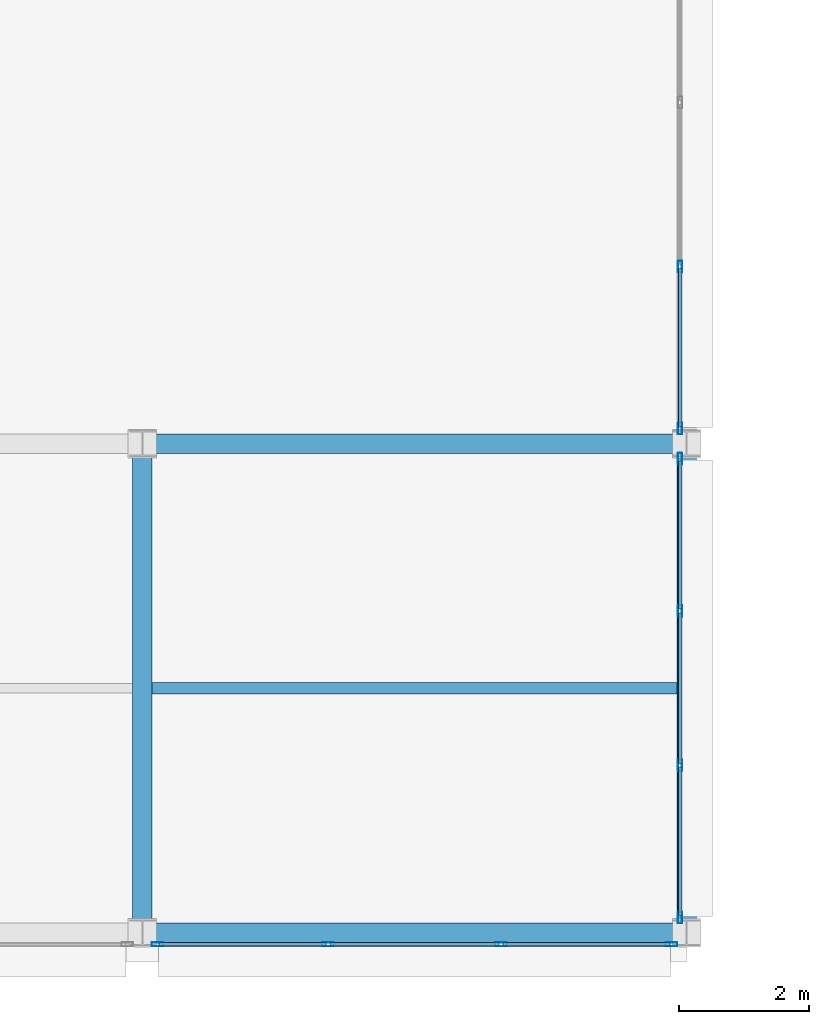
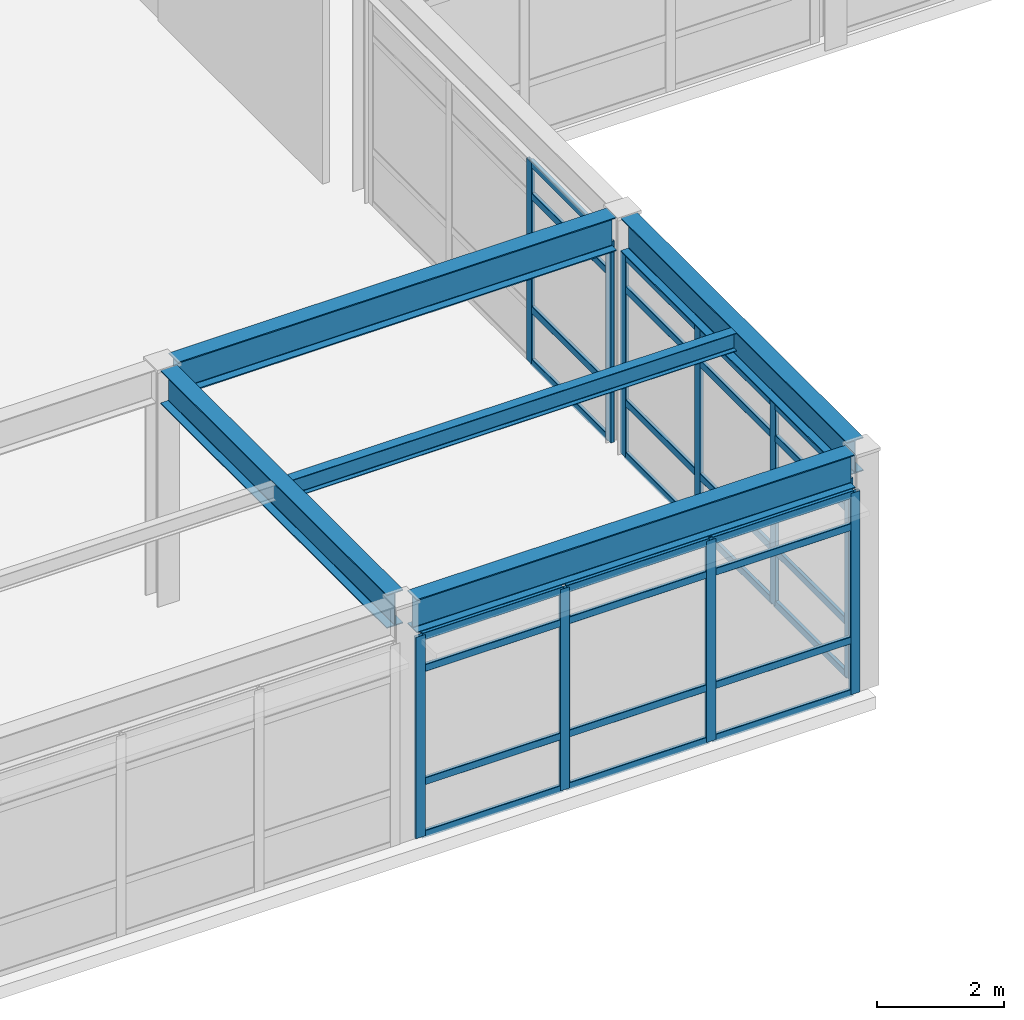
# One storey, part 19 of 93: 38 members, 5 beams, 3 elements without a shape of their own.
"""IFC4 building model written with IfcOpenShell, lengths in metres."""

from ifc_helpers import new_model, si_unit, direction, frame, origin, origin_2d, place, context, subcontext, project, spatial, hollow_rectangle, i_section, extrude, material, layer, layer_set, material_profile, profile_set, type_object, element, aggregate, save


model = new_model("IFC4")

# Units and contexts
model_context = context("Model", 3, precision=1e-05, world=origin(), true_north=direction((0.0, 1.0)))
body_context = subcontext(model_context, "Body", "Model", "MODEL_VIEW")
ifc_project = project(units=[si_unit("LENGTHUNIT", "METRE"), si_unit("AREAUNIT", "SQUARE_METRE"), si_unit("VOLUMEUNIT", "CUBIC_METRE"), si_unit("PLANEANGLEUNIT", "RADIAN"), si_unit("MASSUNIT", "GRAM", prefix="KILO")], contexts=[model_context])

# Site, building, storey
site_placement = place(None, origin())
site = spatial("IfcSite", under=ifc_project, at=site_placement, CompositionType="ELEMENT")
building_placement = place(site_placement, origin())
building = spatial("IfcBuilding", under=site, at=building_placement, Name="Kazehara Bluff Congress Hotel", CompositionType="ELEMENT")
storey_placement = place(building_placement, frame((0.0, 0.0, 15.0)))
storey = spatial("IfcBuildingStorey", under=building, at=storey_placement, Name="L03", CompositionType="ELEMENT", Elevation=15.0)

# Curtain wall, members
ifc_material_1 = material(Name="Anodised aluminium", Category="aluminium")
ifc_layer_1 = layer(ifc_material_1, 0.159912109375)
ifc_layer_set_1 = layer_set([ifc_layer_1], Name="Anodised aluminium")
curtain_wall_type_1 = type_object("IfcCurtainWallType", Name="TP-CW-143", PredefinedType="NOTDEFINED", material=ifc_layer_set_1)
curtain_wall_1_placement = place(storey_placement, origin())
curtain_wall_1 = element("IfcCurtainWall", 1, at=curtain_wall_1_placement, inside=storey, type_object=curtain_wall_type_1, Name="L03 curtain wall CW-143 CW-ENC-V4-L03-7185-27", PredefinedType="NOTDEFINED")
ifc_material_2 = material(Name="Anodised aluminium", Category="aluminium")
ifc_material_profile_1 = material_profile(ifc_material_2, hollow_rectangle(XDim=0.06494140625, YDim=0.179931640625, WallThickness=0.00390625, InnerFilletRadius=0.00390625, OuterFilletRadius=0.008056640625, at=origin_2d()))
ifc_profile_set_1 = profile_set([ifc_material_profile_1], Name="Anodised aluminium")
member_type_1 = type_object("IfcMemberType", Name="TP-CWM-02", PredefinedType="MULLION", material=ifc_profile_set_1)
member_1_placement = place(storey_placement, frame((75.8173828125, 0.27001953125, 0.0), z_axis=(0.0, 0.0, 1.0), x_axis=(0.0, -1.0, 0.0)))
member_1 = element("IfcMember", 2, at=member_1_placement, type_object=member_type_1, Name="CW-143 mullion 1", PredefinedType="MULLION", context=body_context, shape_type="SweptSolid", body=[
    extrude(hollow_rectangle(XDim=0.06494140625, YDim=0.179931640625, WallThickness=0.00390625, InnerFilletRadius=0.00390625, OuterFilletRadius=0.008056640625, at=origin_2d()), origin(), (0.0, 0.0, 1.0), 3.885009765625),
])
member_2_placement = place(storey_placement, frame((73.183349609375, 0.27001953125, 0.0), z_axis=(0.0, 0.0, 1.0), x_axis=(0.0, -1.0, 0.0)))
member_2 = element("IfcMember", 3, at=member_2_placement, type_object=member_type_1, Name="CW-143 mullion 2", PredefinedType="MULLION", context=body_context, shape_type="SweptSolid", body=[
    extrude(hollow_rectangle(XDim=0.06494140625, YDim=0.179931640625, WallThickness=0.00390625, InnerFilletRadius=0.00390625, OuterFilletRadius=0.008056640625, at=origin_2d()), origin(), (0.0, 0.0, 1.0), 3.885009765625),
])
member_3_placement = place(storey_placement, frame((70.5166015625, 0.27001953125, 0.0), z_axis=(0.0, 0.0, 1.0), x_axis=(0.0, -1.0, 0.0)))
member_3 = element("IfcMember", 4, at=member_3_placement, type_object=member_type_1, Name="CW-143 mullion 3", PredefinedType="MULLION", context=body_context, shape_type="SweptSolid", body=[
    extrude(hollow_rectangle(XDim=0.06494140625, YDim=0.179931640625, WallThickness=0.00390625, InnerFilletRadius=0.00390625, OuterFilletRadius=0.008056640625, at=origin_2d()), origin(), (0.0, 0.0, 1.0), 3.885009765625),
])
member_4_placement = place(storey_placement, frame((67.882568359375, 0.27001953125, 0.0), z_axis=(0.0, 0.0, 1.0), x_axis=(0.0, -1.0, 0.0)))
member_4 = element("IfcMember", 5, at=member_4_placement, type_object=member_type_1, Name="CW-143 mullion 4", PredefinedType="MULLION", context=body_context, shape_type="SweptSolid", body=[
    extrude(hollow_rectangle(XDim=0.06494140625, YDim=0.179931640625, WallThickness=0.00390625, InnerFilletRadius=0.00390625, OuterFilletRadius=0.008056640625, at=origin_2d()), origin(), (0.0, 0.0, 1.0), 3.885009765625),
])

ifc_material_3 = material(Name="Anodised aluminium", Category="aluminium")
ifc_layer_2 = layer(ifc_material_3, 0.159912109375)
ifc_layer_set_2 = layer_set([ifc_layer_2], Name="Anodised aluminium")
curtain_wall_type_2 = type_object("IfcCurtainWallType", Name="TP-CW-144", PredefinedType="NOTDEFINED", material=ifc_layer_set_2)
curtain_wall_2_placement = place(storey_placement, origin())
curtain_wall_2 = element("IfcCurtainWall", 6, at=curtain_wall_2_placement, inside=storey, type_object=curtain_wall_type_2, Name="L03 curtain wall CW-144 CW-ENC-V4-L03-7595-422", PredefinedType="NOTDEFINED")
member_5_placement = place(storey_placement, frame((75.949951171875, 7.767578125, 0.0), z_axis=(0.0, 0.0, 1.0), x_axis=(1.0, 0.0, 0.0)))
member_5 = element("IfcMember", 7, at=member_5_placement, type_object=member_type_1, Name="CW-144 mullion 1", PredefinedType="MULLION", context=body_context, shape_type="SweptSolid", body=[
    extrude(hollow_rectangle(XDim=0.06494140625, YDim=0.179931640625, WallThickness=0.00390625, InnerFilletRadius=0.00390625, OuterFilletRadius=0.008056640625, at=origin_2d()), origin(), (0.0, 0.0, 1.0), 3.885009765625),
])
member_6_placement = place(storey_placement, frame((75.949951171875, 5.416748046875, 0.0), z_axis=(0.0, 0.0, 1.0), x_axis=(1.0, 0.0, 0.0)))
member_6 = element("IfcMember", 8, at=member_6_placement, type_object=member_type_1, Name="CW-144 mullion 2", PredefinedType="MULLION", context=body_context, shape_type="SweptSolid", body=[
    extrude(hollow_rectangle(XDim=0.06494140625, YDim=0.179931640625, WallThickness=0.00390625, InnerFilletRadius=0.00390625, OuterFilletRadius=0.008056640625, at=origin_2d()), origin(), (0.0, 0.0, 1.0), 3.885009765625),
])
member_7_placement = place(storey_placement, frame((75.949951171875, 3.033447265625, 0.0), z_axis=(0.0, 0.0, 1.0), x_axis=(1.0, 0.0, 0.0)))
member_7 = element("IfcMember", 9, at=member_7_placement, type_object=member_type_1, Name="CW-144 mullion 3", PredefinedType="MULLION", context=body_context, shape_type="SweptSolid", body=[
    extrude(hollow_rectangle(XDim=0.06494140625, YDim=0.179931640625, WallThickness=0.00390625, InnerFilletRadius=0.00390625, OuterFilletRadius=0.008056640625, at=origin_2d()), origin(), (0.0, 0.0, 1.0), 3.885009765625),
])
member_8_placement = place(storey_placement, frame((75.949951171875, 0.6826171875, 0.0), z_axis=(0.0, 0.0, 1.0), x_axis=(1.0, 0.0, 0.0)))
member_8 = element("IfcMember", 10, at=member_8_placement, type_object=member_type_1, Name="CW-144 mullion 4", PredefinedType="MULLION", context=body_context, shape_type="SweptSolid", body=[
    extrude(hollow_rectangle(XDim=0.06494140625, YDim=0.179931640625, WallThickness=0.00390625, InnerFilletRadius=0.00390625, OuterFilletRadius=0.008056640625, at=origin_2d()), origin(), (0.0, 0.0, 1.0), 3.885009765625),
])

ifc_material_4 = material(Name="Anodised aluminium", Category="aluminium")
ifc_layer_3 = layer(ifc_material_4, 0.159912109375)
ifc_layer_set_3 = layer_set([ifc_layer_3], Name="Anodised aluminium")
curtain_wall_type_3 = type_object("IfcCurtainWallType", Name="TP-CW-129", PredefinedType="NOTDEFINED", material=ifc_layer_set_3)
curtain_wall_3_placement = place(storey_placement, origin())
curtain_wall_3 = element("IfcCurtainWall", 11, at=curtain_wall_3_placement, inside=storey, type_object=curtain_wall_type_3, Name="L03 curtain wall CW-129 CW-ENC-V4-L03-7595-1200", PredefinedType="NOTDEFINED")
member_9_placement = place(storey_placement, frame((75.949951171875, 10.7333984375, 0.0), z_axis=(0.0, 0.0, 1.0), x_axis=(1.0, 0.0, 0.0)))
member_9 = element("IfcMember", 12, at=member_9_placement, type_object=member_type_1, Name="CW-129 mullion 3", PredefinedType="MULLION", context=body_context, shape_type="SweptSolid", body=[
    extrude(hollow_rectangle(XDim=0.06494140625, YDim=0.179931640625, WallThickness=0.00390625, InnerFilletRadius=0.00390625, OuterFilletRadius=0.008056640625, at=origin_2d()), origin(), (0.0, 0.0, 1.0), 3.885009765625),
])
member_10_placement = place(storey_placement, frame((75.949951171875, 8.232421875, 0.0), z_axis=(0.0, 0.0, 1.0), x_axis=(1.0, 0.0, 0.0)))
member_10 = element("IfcMember", 13, at=member_10_placement, type_object=member_type_1, Name="CW-129 mullion 4", PredefinedType="MULLION", context=body_context, shape_type="SweptSolid", body=[
    extrude(hollow_rectangle(XDim=0.06494140625, YDim=0.179931640625, WallThickness=0.00390625, InnerFilletRadius=0.00390625, OuterFilletRadius=0.008056640625, at=origin_2d()), origin(), (0.0, 0.0, 1.0), 3.885009765625),
])

# Member
ifc_material_5 = material(Name="Anodised aluminium", Category="aluminium")
ifc_material_profile_2 = material_profile(ifc_material_5, hollow_rectangle(XDim=0.06494140625, YDim=0.139892578125, WallThickness=0.00390625, InnerFilletRadius=0.00390625, OuterFilletRadius=0.008056640625, at=origin_2d()))
ifc_profile_set_2 = profile_set([ifc_material_profile_2], Name="Anodised aluminium")
member_type_2 = type_object("IfcMemberType", Name="TP-CWT-02", PredefinedType="USERDEFINED", material=ifc_profile_set_2)
member_11_placement = place(storey_placement, frame((75.784912109375, 0.27001953125, 0.032470703125), z_axis=(-1.0, 0.0, 0.0), x_axis=(0.0, -1.0, 0.0)))
member_11 = element("IfcMember", 14, at=member_11_placement, type_object=member_type_2, Name="CW-143 transom 1.1", ObjectType="TRANSOM", PredefinedType="USERDEFINED", context=body_context, shape_type="SweptSolid", body=[
    extrude(hollow_rectangle(XDim=0.06494140625, YDim=0.139892578125, WallThickness=0.00390625, InnerFilletRadius=0.00390625, OuterFilletRadius=0.008056640625, at=origin_2d()), origin(), (0.0, 0.0, 1.0), 2.569091796875),
])

member_12_placement = place(storey_placement, frame((75.784912109375, 0.27001953125, 1.050048828125), z_axis=(-1.0, 0.0, 0.0), x_axis=(0.0, -1.0, 0.0)))
member_12 = element("IfcMember", 15, at=member_12_placement, type_object=member_type_2, Name="CW-143 transom 1.2", ObjectType="TRANSOM", PredefinedType="USERDEFINED", context=body_context, shape_type="SweptSolid", body=[
    extrude(hollow_rectangle(XDim=0.06494140625, YDim=0.139892578125, WallThickness=0.00390625, InnerFilletRadius=0.00390625, OuterFilletRadius=0.008056640625, at=origin_2d()), origin(), (0.0, 0.0, 1.0), 2.569091796875),
])

member_13_placement = place(storey_placement, frame((75.784912109375, 0.27001953125, 3.235107421875), z_axis=(-1.0, 0.0, 0.0), x_axis=(0.0, -1.0, 0.0)))
member_13 = element("IfcMember", 16, at=member_13_placement, type_object=member_type_2, Name="CW-143 transom 1.3", ObjectType="TRANSOM", PredefinedType="USERDEFINED", context=body_context, shape_type="SweptSolid", body=[
    extrude(hollow_rectangle(XDim=0.06494140625, YDim=0.139892578125, WallThickness=0.00390625, InnerFilletRadius=0.00390625, OuterFilletRadius=0.008056640625, at=origin_2d()), origin(), (0.0, 0.0, 1.0), 2.569091796875),
])

member_14_placement = place(storey_placement, frame((75.784912109375, 0.27001953125, 3.8525390625), z_axis=(-1.0, 0.0, 0.0), x_axis=(0.0, -1.0, 0.0)))
member_14 = element("IfcMember", 17, at=member_14_placement, type_object=member_type_2, Name="CW-143 transom 1.4", ObjectType="TRANSOM", PredefinedType="USERDEFINED", context=body_context, shape_type="SweptSolid", body=[
    extrude(hollow_rectangle(XDim=0.06494140625, YDim=0.139892578125, WallThickness=0.00390625, InnerFilletRadius=0.00390625, OuterFilletRadius=0.008056640625, at=origin_2d()), origin(), (0.0, 0.0, 1.0), 2.569091796875),
])

member_15_placement = place(storey_placement, frame((73.15087890625, 0.27001953125, 0.032470703125), z_axis=(-1.0, 0.0, 0.0), x_axis=(0.0, -1.0, 0.0)))
member_15 = element("IfcMember", 18, at=member_15_placement, type_object=member_type_2, Name="CW-143 transom 2.1", ObjectType="TRANSOM", PredefinedType="USERDEFINED", context=body_context, shape_type="SweptSolid", body=[
    extrude(hollow_rectangle(XDim=0.06494140625, YDim=0.139892578125, WallThickness=0.00390625, InnerFilletRadius=0.00390625, OuterFilletRadius=0.008056640625, at=origin_2d()), origin(), (0.0, 0.0, 1.0), 2.601806640625),
])

member_16_placement = place(storey_placement, frame((73.15087890625, 0.27001953125, 1.050048828125), z_axis=(-1.0, 0.0, 0.0), x_axis=(0.0, -1.0, 0.0)))
member_16 = element("IfcMember", 19, at=member_16_placement, type_object=member_type_2, Name="CW-143 transom 2.2", ObjectType="TRANSOM", PredefinedType="USERDEFINED", context=body_context, shape_type="SweptSolid", body=[
    extrude(hollow_rectangle(XDim=0.06494140625, YDim=0.139892578125, WallThickness=0.00390625, InnerFilletRadius=0.00390625, OuterFilletRadius=0.008056640625, at=origin_2d()), origin(), (0.0, 0.0, 1.0), 2.601806640625),
])

member_17_placement = place(storey_placement, frame((73.15087890625, 0.27001953125, 3.235107421875), z_axis=(-1.0, 0.0, 0.0), x_axis=(0.0, -1.0, 0.0)))
member_17 = element("IfcMember", 20, at=member_17_placement, type_object=member_type_2, Name="CW-143 transom 2.3", ObjectType="TRANSOM", PredefinedType="USERDEFINED", context=body_context, shape_type="SweptSolid", body=[
    extrude(hollow_rectangle(XDim=0.06494140625, YDim=0.139892578125, WallThickness=0.00390625, InnerFilletRadius=0.00390625, OuterFilletRadius=0.008056640625, at=origin_2d()), origin(), (0.0, 0.0, 1.0), 2.601806640625),
])

member_18_placement = place(storey_placement, frame((73.15087890625, 0.27001953125, 3.8525390625), z_axis=(-1.0, 0.0, 0.0), x_axis=(0.0, -1.0, 0.0)))
member_18 = element("IfcMember", 21, at=member_18_placement, type_object=member_type_2, Name="CW-143 transom 2.4", ObjectType="TRANSOM", PredefinedType="USERDEFINED", context=body_context, shape_type="SweptSolid", body=[
    extrude(hollow_rectangle(XDim=0.06494140625, YDim=0.139892578125, WallThickness=0.00390625, InnerFilletRadius=0.00390625, OuterFilletRadius=0.008056640625, at=origin_2d()), origin(), (0.0, 0.0, 1.0), 2.601806640625),
])

member_19_placement = place(storey_placement, frame((70.484130859375, 0.27001953125, 0.032470703125), z_axis=(-1.0, 0.0, 0.0), x_axis=(0.0, -1.0, 0.0)))
member_19 = element("IfcMember", 22, at=member_19_placement, type_object=member_type_2, Name="CW-143 transom 3.1", ObjectType="TRANSOM", PredefinedType="USERDEFINED", context=body_context, shape_type="SweptSolid", body=[
    extrude(hollow_rectangle(XDim=0.06494140625, YDim=0.139892578125, WallThickness=0.00390625, InnerFilletRadius=0.00390625, OuterFilletRadius=0.008056640625, at=origin_2d()), origin(), (0.0, 0.0, 1.0), 2.569091796875),
])

member_20_placement = place(storey_placement, frame((70.484130859375, 0.27001953125, 1.050048828125), z_axis=(-1.0, 0.0, 0.0), x_axis=(0.0, -1.0, 0.0)))
member_20 = element("IfcMember", 23, at=member_20_placement, type_object=member_type_2, Name="CW-143 transom 3.2", ObjectType="TRANSOM", PredefinedType="USERDEFINED", context=body_context, shape_type="SweptSolid", body=[
    extrude(hollow_rectangle(XDim=0.06494140625, YDim=0.139892578125, WallThickness=0.00390625, InnerFilletRadius=0.00390625, OuterFilletRadius=0.008056640625, at=origin_2d()), origin(), (0.0, 0.0, 1.0), 2.569091796875),
])

member_21_placement = place(storey_placement, frame((70.484130859375, 0.27001953125, 3.235107421875), z_axis=(-1.0, 0.0, 0.0), x_axis=(0.0, -1.0, 0.0)))
member_21 = element("IfcMember", 24, at=member_21_placement, type_object=member_type_2, Name="CW-143 transom 3.3", ObjectType="TRANSOM", PredefinedType="USERDEFINED", context=body_context, shape_type="SweptSolid", body=[
    extrude(hollow_rectangle(XDim=0.06494140625, YDim=0.139892578125, WallThickness=0.00390625, InnerFilletRadius=0.00390625, OuterFilletRadius=0.008056640625, at=origin_2d()), origin(), (0.0, 0.0, 1.0), 2.569091796875),
])

member_22_placement = place(storey_placement, frame((70.484130859375, 0.27001953125, 3.8525390625), z_axis=(-1.0, 0.0, 0.0), x_axis=(0.0, -1.0, 0.0)))
member_22 = element("IfcMember", 25, at=member_22_placement, type_object=member_type_2, Name="CW-143 transom 3.4", ObjectType="TRANSOM", PredefinedType="USERDEFINED", context=body_context, shape_type="SweptSolid", body=[
    extrude(hollow_rectangle(XDim=0.06494140625, YDim=0.139892578125, WallThickness=0.00390625, InnerFilletRadius=0.00390625, OuterFilletRadius=0.008056640625, at=origin_2d()), origin(), (0.0, 0.0, 1.0), 2.569091796875),
])

aggregate(curtain_wall_1, [member_1, member_2, member_3, member_4, member_11, member_12, member_13, member_14, member_15, member_16, member_17, member_18, member_19, member_20, member_21, member_22])

member_23_placement = place(storey_placement, frame((75.949951171875, 7.735107421875, 0.032470703125), z_axis=(0.0, -1.0, 0.0), x_axis=(1.0, 0.0, 0.0)))
member_23 = element("IfcMember", 26, at=member_23_placement, type_object=member_type_2, Name="CW-144 transom 1.1", ObjectType="TRANSOM", PredefinedType="USERDEFINED", context=body_context, shape_type="SweptSolid", body=[
    extrude(hollow_rectangle(XDim=0.06494140625, YDim=0.139892578125, WallThickness=0.00390625, InnerFilletRadius=0.00390625, OuterFilletRadius=0.008056640625, at=origin_2d()), origin(), (0.0, 0.0, 1.0), 2.285888671875),
])

member_24_placement = place(storey_placement, frame((75.949951171875, 7.735107421875, 1.050048828125), z_axis=(0.0, -1.0, 0.0), x_axis=(1.0, 0.0, 0.0)))
member_24 = element("IfcMember", 27, at=member_24_placement, type_object=member_type_2, Name="CW-144 transom 1.2", ObjectType="TRANSOM", PredefinedType="USERDEFINED", context=body_context, shape_type="SweptSolid", body=[
    extrude(hollow_rectangle(XDim=0.06494140625, YDim=0.139892578125, WallThickness=0.00390625, InnerFilletRadius=0.00390625, OuterFilletRadius=0.008056640625, at=origin_2d()), origin(), (0.0, 0.0, 1.0), 2.285888671875),
])

member_25_placement = place(storey_placement, frame((75.949951171875, 7.735107421875, 3.235107421875), z_axis=(0.0, -1.0, 0.0), x_axis=(1.0, 0.0, 0.0)))
member_25 = element("IfcMember", 28, at=member_25_placement, type_object=member_type_2, Name="CW-144 transom 1.3", ObjectType="TRANSOM", PredefinedType="USERDEFINED", context=body_context, shape_type="SweptSolid", body=[
    extrude(hollow_rectangle(XDim=0.06494140625, YDim=0.139892578125, WallThickness=0.00390625, InnerFilletRadius=0.00390625, OuterFilletRadius=0.008056640625, at=origin_2d()), origin(), (0.0, 0.0, 1.0), 2.285888671875),
])

member_26_placement = place(storey_placement, frame((75.949951171875, 7.735107421875, 3.8525390625), z_axis=(0.0, -1.0, 0.0), x_axis=(1.0, 0.0, 0.0)))
member_26 = element("IfcMember", 29, at=member_26_placement, type_object=member_type_2, Name="CW-144 transom 1.4", ObjectType="TRANSOM", PredefinedType="USERDEFINED", context=body_context, shape_type="SweptSolid", body=[
    extrude(hollow_rectangle(XDim=0.06494140625, YDim=0.139892578125, WallThickness=0.00390625, InnerFilletRadius=0.00390625, OuterFilletRadius=0.008056640625, at=origin_2d()), origin(), (0.0, 0.0, 1.0), 2.285888671875),
])

member_27_placement = place(storey_placement, frame((75.949951171875, 5.38427734375, 0.032470703125), z_axis=(0.0, -1.0, 0.0), x_axis=(1.0, 0.0, 0.0)))
member_27 = element("IfcMember", 30, at=member_27_placement, type_object=member_type_2, Name="CW-144 transom 2.1", ObjectType="TRANSOM", PredefinedType="USERDEFINED", context=body_context, shape_type="SweptSolid", body=[
    extrude(hollow_rectangle(XDim=0.06494140625, YDim=0.139892578125, WallThickness=0.00390625, InnerFilletRadius=0.00390625, OuterFilletRadius=0.008056640625, at=origin_2d()), origin(), (0.0, 0.0, 1.0), 2.318359375),
])

member_28_placement = place(storey_placement, frame((75.949951171875, 5.38427734375, 1.050048828125), z_axis=(0.0, -1.0, 0.0), x_axis=(1.0, 0.0, 0.0)))
member_28 = element("IfcMember", 31, at=member_28_placement, type_object=member_type_2, Name="CW-144 transom 2.2", ObjectType="TRANSOM", PredefinedType="USERDEFINED", context=body_context, shape_type="SweptSolid", body=[
    extrude(hollow_rectangle(XDim=0.06494140625, YDim=0.139892578125, WallThickness=0.00390625, InnerFilletRadius=0.00390625, OuterFilletRadius=0.008056640625, at=origin_2d()), origin(), (0.0, 0.0, 1.0), 2.318359375),
])

member_29_placement = place(storey_placement, frame((75.949951171875, 5.38427734375, 3.235107421875), z_axis=(0.0, -1.0, 0.0), x_axis=(1.0, 0.0, 0.0)))
member_29 = element("IfcMember", 32, at=member_29_placement, type_object=member_type_2, Name="CW-144 transom 2.3", ObjectType="TRANSOM", PredefinedType="USERDEFINED", context=body_context, shape_type="SweptSolid", body=[
    extrude(hollow_rectangle(XDim=0.06494140625, YDim=0.139892578125, WallThickness=0.00390625, InnerFilletRadius=0.00390625, OuterFilletRadius=0.008056640625, at=origin_2d()), origin(), (0.0, 0.0, 1.0), 2.318359375),
])

member_30_placement = place(storey_placement, frame((75.949951171875, 5.38427734375, 3.8525390625), z_axis=(0.0, -1.0, 0.0), x_axis=(1.0, 0.0, 0.0)))
member_30 = element("IfcMember", 33, at=member_30_placement, type_object=member_type_2, Name="CW-144 transom 2.4", ObjectType="TRANSOM", PredefinedType="USERDEFINED", context=body_context, shape_type="SweptSolid", body=[
    extrude(hollow_rectangle(XDim=0.06494140625, YDim=0.139892578125, WallThickness=0.00390625, InnerFilletRadius=0.00390625, OuterFilletRadius=0.008056640625, at=origin_2d()), origin(), (0.0, 0.0, 1.0), 2.318359375),
])

member_31_placement = place(storey_placement, frame((75.949951171875, 3.000732421875, 0.032470703125), z_axis=(0.0, -1.0, 0.0), x_axis=(1.0, 0.0, 0.0)))
member_31 = element("IfcMember", 34, at=member_31_placement, type_object=member_type_2, Name="CW-144 transom 3.1", ObjectType="TRANSOM", PredefinedType="USERDEFINED", context=body_context, shape_type="SweptSolid", body=[
    extrude(hollow_rectangle(XDim=0.06494140625, YDim=0.139892578125, WallThickness=0.00390625, InnerFilletRadius=0.00390625, OuterFilletRadius=0.008056640625, at=origin_2d()), origin(), (0.0, 0.0, 1.0), 2.28564453125),
])

member_32_placement = place(storey_placement, frame((75.949951171875, 3.000732421875, 1.050048828125), z_axis=(0.0, -1.0, 0.0), x_axis=(1.0, 0.0, 0.0)))
member_32 = element("IfcMember", 35, at=member_32_placement, type_object=member_type_2, Name="CW-144 transom 3.2", ObjectType="TRANSOM", PredefinedType="USERDEFINED", context=body_context, shape_type="SweptSolid", body=[
    extrude(hollow_rectangle(XDim=0.06494140625, YDim=0.139892578125, WallThickness=0.00390625, InnerFilletRadius=0.00390625, OuterFilletRadius=0.008056640625, at=origin_2d()), origin(), (0.0, 0.0, 1.0), 2.28564453125),
])

member_33_placement = place(storey_placement, frame((75.949951171875, 3.000732421875, 3.235107421875), z_axis=(0.0, -1.0, 0.0), x_axis=(1.0, 0.0, 0.0)))
member_33 = element("IfcMember", 36, at=member_33_placement, type_object=member_type_2, Name="CW-144 transom 3.3", ObjectType="TRANSOM", PredefinedType="USERDEFINED", context=body_context, shape_type="SweptSolid", body=[
    extrude(hollow_rectangle(XDim=0.06494140625, YDim=0.139892578125, WallThickness=0.00390625, InnerFilletRadius=0.00390625, OuterFilletRadius=0.008056640625, at=origin_2d()), origin(), (0.0, 0.0, 1.0), 2.28564453125),
])

member_34_placement = place(storey_placement, frame((75.949951171875, 3.000732421875, 3.8525390625), z_axis=(0.0, -1.0, 0.0), x_axis=(1.0, 0.0, 0.0)))
member_34 = element("IfcMember", 37, at=member_34_placement, type_object=member_type_2, Name="CW-144 transom 3.4", ObjectType="TRANSOM", PredefinedType="USERDEFINED", context=body_context, shape_type="SweptSolid", body=[
    extrude(hollow_rectangle(XDim=0.06494140625, YDim=0.139892578125, WallThickness=0.00390625, InnerFilletRadius=0.00390625, OuterFilletRadius=0.008056640625, at=origin_2d()), origin(), (0.0, 0.0, 1.0), 2.28564453125),
])

aggregate(curtain_wall_2, [member_5, member_6, member_7, member_8, member_23, member_24, member_25, member_26, member_27, member_28, member_29, member_30, member_31, member_32, member_33, member_34])

member_35_placement = place(storey_placement, frame((75.949951171875, 10.700927734375, 0.032470703125), z_axis=(0.0, -1.0, 0.0), x_axis=(1.0, 0.0, 0.0)))
member_35 = element("IfcMember", 38, at=member_35_placement, type_object=member_type_2, Name="CW-129 transom 3.1", ObjectType="TRANSOM", PredefinedType="USERDEFINED", context=body_context, shape_type="SweptSolid", body=[
    extrude(hollow_rectangle(XDim=0.06494140625, YDim=0.139892578125, WallThickness=0.00390625, InnerFilletRadius=0.00390625, OuterFilletRadius=0.008056640625, at=origin_2d()), origin(), (0.0, 0.0, 1.0), 2.43603515625),
])

member_36_placement = place(storey_placement, frame((75.949951171875, 10.700927734375, 1.050048828125), z_axis=(0.0, -1.0, 0.0), x_axis=(1.0, 0.0, 0.0)))
member_36 = element("IfcMember", 39, at=member_36_placement, type_object=member_type_2, Name="CW-129 transom 3.2", ObjectType="TRANSOM", PredefinedType="USERDEFINED", context=body_context, shape_type="SweptSolid", body=[
    extrude(hollow_rectangle(XDim=0.06494140625, YDim=0.139892578125, WallThickness=0.00390625, InnerFilletRadius=0.00390625, OuterFilletRadius=0.008056640625, at=origin_2d()), origin(), (0.0, 0.0, 1.0), 2.43603515625),
])

member_37_placement = place(storey_placement, frame((75.949951171875, 10.700927734375, 3.235107421875), z_axis=(0.0, -1.0, 0.0), x_axis=(1.0, 0.0, 0.0)))
member_37 = element("IfcMember", 40, at=member_37_placement, type_object=member_type_2, Name="CW-129 transom 3.3", ObjectType="TRANSOM", PredefinedType="USERDEFINED", context=body_context, shape_type="SweptSolid", body=[
    extrude(hollow_rectangle(XDim=0.06494140625, YDim=0.139892578125, WallThickness=0.00390625, InnerFilletRadius=0.00390625, OuterFilletRadius=0.008056640625, at=origin_2d()), origin(), (0.0, 0.0, 1.0), 2.43603515625),
])

member_38_placement = place(storey_placement, frame((75.949951171875, 10.700927734375, 3.8525390625), z_axis=(0.0, -1.0, 0.0), x_axis=(1.0, 0.0, 0.0)))
member_38 = element("IfcMember", 41, at=member_38_placement, type_object=member_type_2, Name="CW-129 transom 3.4", ObjectType="TRANSOM", PredefinedType="USERDEFINED", context=body_context, shape_type="SweptSolid", body=[
    extrude(hollow_rectangle(XDim=0.06494140625, YDim=0.139892578125, WallThickness=0.00390625, InnerFilletRadius=0.00390625, OuterFilletRadius=0.008056640625, at=origin_2d()), origin(), (0.0, 0.0, 1.0), 2.43603515625),
])

aggregate(curtain_wall_3, [member_9, member_10, member_35, member_36, member_37, member_38])

# Beams
ifc_material_6 = material(Name="Steel SN490B", Category="steel")
ifc_material_profile_3 = material_profile(ifc_material_6, i_section(OverallWidth=0.300048828125, OverallDepth=0.64990234375, WebThickness=0.011962890625, FlangeThickness=0.02001953125, FilletRadius=0.012939453125, at=origin_2d()))
ifc_profile_set_3 = profile_set([ifc_material_profile_3], Name="Steel SN490B")
beam_type_1 = type_object("IfcBeamType", Name="TP-G-03", PredefinedType="BEAM", material=ifc_profile_set_3)
for number, where, z_axis, x_axis, name in (
    (42, (67.64990234375, 0.64990234375, 4.235107421875), (0.0, 1.0, 0.0), (-1.0, 0.0, 0.0), "L03 girder G-03 46"),
    (43, (76.050048828125, 0.64990234375, 4.235107421875), (0.0, 1.0, 0.0), (-1.0, 0.0, 0.0), "L03 girder G-03 51"),
):
    element("IfcBeam", number, at=place(storey_placement, frame(where, z_axis=z_axis, x_axis=x_axis)), inside=storey, type_object=beam_type_1, Name=name, PredefinedType="BEAM", context=body_context, shape_type="SweptSolid", body=[
        extrude(i_section(OverallWidth=0.300048828125, OverallDepth=0.64990234375, WebThickness=0.011962890625, FlangeThickness=0.02001953125, FilletRadius=0.012939453125, at=origin_2d()), origin(), (0.0, 0.0, 1.0), 7.150146484375),
    ])
for number, where, z_axis, x_axis, name in (
    (44, (67.85009765625, 0.449951171875, 4.235107421875), (1.0, 0.0, 0.0), (0.0, 1.0, 0.0), "L03 girder G-03 72"),
    (45, (67.85009765625, 8.0, 4.235107421875), (1.0, 0.0, 0.0), (0.0, 1.0, 0.0), "L03 girder G-03 74"),
):
    element("IfcBeam", number, at=place(storey_placement, frame(where, z_axis=z_axis, x_axis=x_axis)), inside=storey, type_object=beam_type_1, Name=name, PredefinedType="BEAM", context=body_context, shape_type="SweptSolid", body=[
        extrude(i_section(OverallWidth=0.300048828125, OverallDepth=0.64990234375, WebThickness=0.011962890625, FlangeThickness=0.02001953125, FilletRadius=0.012939453125, at=origin_2d()), origin(), (0.0, 0.0, 1.0), 8.0),
    ])
ifc_material_7 = material(Name="Steel SN400B", Category="steel")
ifc_material_profile_4 = material_profile(ifc_material_7, i_section(OverallWidth=0.175048828125, OverallDepth=0.35009765625, WebThickness=0.007080078125, FlangeThickness=0.010986328125, FilletRadius=0.012939453125, at=origin_2d()))
ifc_profile_set_4 = profile_set([ifc_material_profile_4], Name="Steel SN400B")
beam_type_2 = type_object("IfcBeamType", Name="TP-J-02", PredefinedType="JOIST", material=ifc_profile_set_4)
beam_placement = place(storey_placement, frame((67.800048828125, 4.22509765625, 4.385009765625), z_axis=(1.0, 0.0, 0.0), x_axis=(0.0, 1.0, 0.0)))
element("IfcBeam", 46, at=beam_placement, inside=storey, type_object=beam_type_2, Name="L03 secondary joist J-02 5", PredefinedType="JOIST", context=body_context, shape_type="SweptSolid", body=[
    extrude(i_section(OverallWidth=0.175048828125, OverallDepth=0.35009765625, WebThickness=0.007080078125, FlangeThickness=0.010986328125, FilletRadius=0.012939453125, at=origin_2d()), origin(), (0.0, 0.0, 1.0), 8.099853515625),
])

save(model, "model.ifc")
